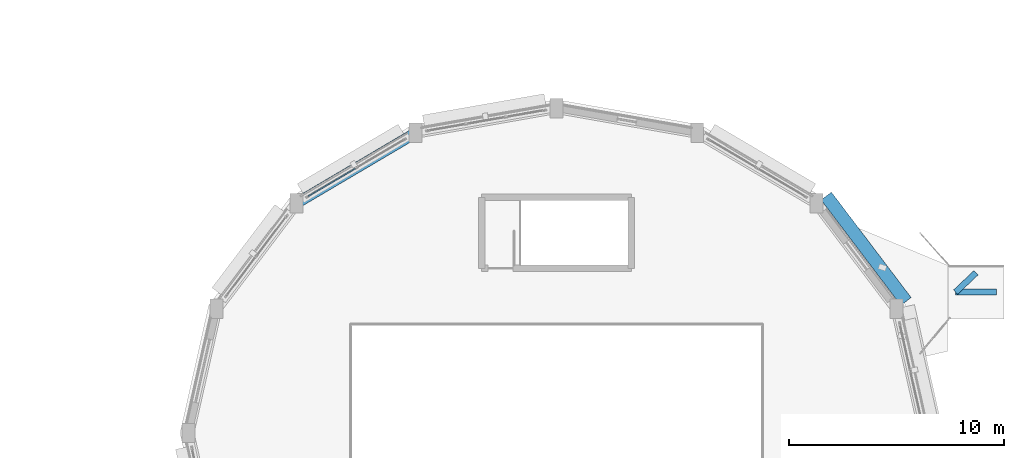
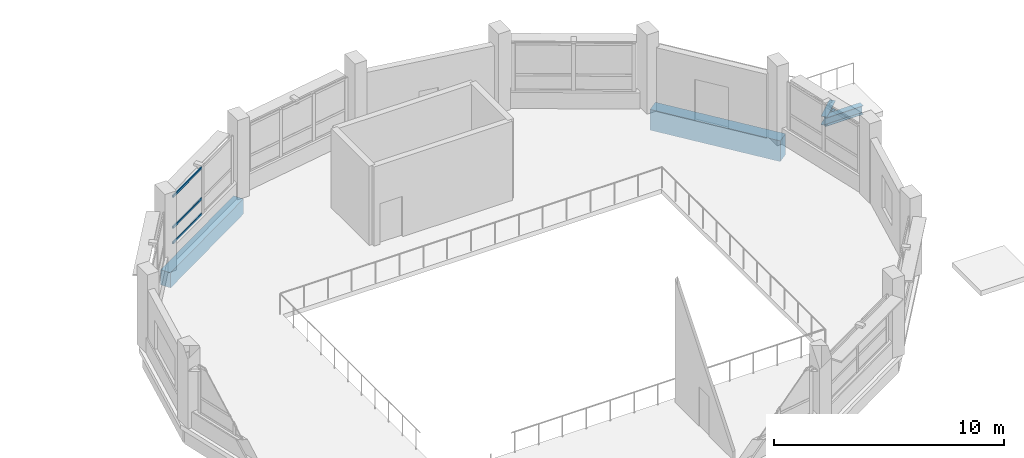
# One storey, part 97 of 128: 4 beams, 3 members, 1 element without a shape of its own.
"""IFC4 building model written with IfcOpenShell, lengths in metres."""

from ifc_helpers import new_model, si_unit, direction, frame, origin, origin_2d, place, context, subcontext, project, spatial, rectangle, hollow_rectangle, i_section, extrude, material, layer, layer_set, material_profile, profile_set, type_object, element, aggregate, save


model = new_model("IFC4")

# Units and contexts
model_context = context("Model", 3, precision=1e-05, world=origin(), true_north=direction((0.0, 1.0)))
body_context = subcontext(model_context, "Body", "Model", "MODEL_VIEW")
ifc_project = project(units=[si_unit("LENGTHUNIT", "METRE"), si_unit("AREAUNIT", "SQUARE_METRE"), si_unit("VOLUMEUNIT", "CUBIC_METRE"), si_unit("PLANEANGLEUNIT", "RADIAN"), si_unit("MASSUNIT", "GRAM", prefix="KILO")], contexts=[model_context])

# Site, building, storey
site_placement = place(None, origin())
site = spatial("IfcSite", under=ifc_project, at=site_placement, CompositionType="ELEMENT")
building_placement = place(site_placement, origin())
building = spatial("IfcBuilding", under=site, at=building_placement, Name="Vespera Passage Community Centre", CompositionType="ELEMENT")
storey_placement = place(building_placement, frame((0.0, 0.0, 4.5)))
storey = spatial("IfcBuildingStorey", under=building, at=storey_placement, Name="L01", CompositionType="ELEMENT", Elevation=4.5)

# Beams
ifc_material_1 = material(Name="Concrete f'c 45 MPa", Category="concrete")
ifc_material_profile_1 = material_profile(ifc_material_1, rectangle(XDim=0.60009765625, YDim=1.10009765625, at=origin_2d()), Name="RC600X1100")
ifc_profile_set_1 = profile_set([ifc_material_profile_1], Name="Concrete f'c 45 MPa")
beam_type_1 = type_object("IfcBeamType", Name="BM-AR-600X1100", PredefinedType="USERDEFINED", material=ifc_profile_set_1)
beam_1_placement = place(storey_placement, frame((159.244873046875, 95.616455078125, -0.840087890625), z_axis=(-0.603409203322, 0.797431710773, 0.0), x_axis=(-0.797431710773, -0.603409203322, 0.0)))
element("IfcBeam", 1, at=beam_1_placement, inside=storey, type_object=beam_type_1, Name="Movement Joint MJ-01 550mm Corbel Bearing Seat North", ObjectType="ARCH RIB", PredefinedType="USERDEFINED", context=body_context, shape_type="SweptSolid", body=[
    extrude(rectangle(XDim=0.60009765625, YDim=1.10009765625, at=origin_2d()), origin(), (0.0, 0.0, 1.0), 6.14306640625),
])
ifc_material_2 = material(Name="Steel ASTM A992 Grade 50", Category="steel")
ifc_material_profile_2 = material_profile(ifc_material_2, i_section(OverallWidth=0.280517578125, OverallDepth=0.46240234375, WebThickness=0.0107421875, FlangeThickness=0.017333984375, FilletRadius=0.01025390625, at=origin_2d()), Name="W18X76")
ifc_profile_set_2 = profile_set([ifc_material_profile_2], Name="Steel ASTM A992 Grade 50")
beam_type_2 = type_object("IfcBeamType", Name="BM-RB-W18X76E", PredefinedType="SPANDREL", material=ifc_profile_set_2)
beam_2_placement = place(storey_placement, frame((161.550048828125, 96.050048828125, -0.4912109375), z_axis=(1.0, 0.0, 0.0), x_axis=(0.0, 1.0, 0.0)))
element("IfcBeam", 2, at=beam_2_placement, inside=storey, type_object=beam_type_2, Name="Bridge Pier Cap 7", PredefinedType="SPANDREL", context=body_context, shape_type="SweptSolid", body=[
    extrude(i_section(OverallWidth=0.280517578125, OverallDepth=0.46240234375, WebThickness=0.0107421875, FlangeThickness=0.017333984375, FilletRadius=0.01025390625, at=origin_2d()), origin(), (0.0, 0.0, 1.0), 1.89990234375),
])
beam_3_placement = place(storey_placement, frame((162.5, 96.949951171875, -0.4912109375), z_axis=(-0.725972294656, -0.687723947083, 0.0), x_axis=(0.687723947083, -0.725972294656, 0.0)))
element("IfcBeam", 3, at=beam_3_placement, inside=storey, type_object=beam_type_2, Name="Bridge Top Landing End Beam", PredefinedType="SPANDREL", context=body_context, shape_type="SweptSolid", body=[
    extrude(i_section(OverallWidth=0.280517578125, OverallDepth=0.46240234375, WebThickness=0.0107421875, FlangeThickness=0.017333984375, FilletRadius=0.01025390625, at=origin_2d()), origin(), (0.0, 0.0, 1.0), 1.30859375),
])
ifc_material_3 = material(Name="Concrete f'c 35 MPa", Category="concrete")
ifc_material_profile_3 = material_profile(ifc_material_3, rectangle(XDim=0.5, YDim=0.800048828125, at=origin_2d()), Name="RC500X800")
ifc_profile_set_3 = profile_set([ifc_material_profile_3], Name="Concrete f'c 35 MPa")
beam_type_3 = type_object("IfcBeamType", Name="BM-SP-500X800E", PredefinedType="SPANDREL", material=ifc_profile_set_3)
beam_4_placement = place(storey_placement, frame((136.4560546875, 103.45068359375, -0.639892578125), z_axis=(-0.861245535965, -0.508189065978, 0.0), x_axis=(0.508189065978, -0.861245535965, 0.0)))
element("IfcBeam", 4, at=beam_4_placement, inside=storey, type_object=beam_type_3, Name="V2 L01 Perimeter Spandrel 6", PredefinedType="SPANDREL", context=body_context, shape_type="SweptSolid", body=[
    extrude(rectangle(XDim=0.5, YDim=0.800048828125, at=origin_2d()), origin(), (0.0, 0.0, 1.0), 6.44140625),
])

# Curtain wall, members
ifc_material_4 = material(Name="Anodized aluminium 6063-T6", Category="aluminium")
ifc_layer = layer(ifc_material_4, 0.159912109375)
ifc_layer_set = layer_set([ifc_layer], Name="Anodized aluminium 6063-T6")
curtain_wall_type = type_object("IfcCurtainWallType", Name="CW-94E", PredefinedType="NOTDEFINED", material=ifc_layer_set)
curtain_wall_placement = place(storey_placement, origin())
curtain_wall = element("IfcCurtainWall", 5, at=curtain_wall_placement, inside=storey, type_object=curtain_wall_type, Name="Sports Drum Ribbon Curtain Wall L01.6", PredefinedType="NOTDEFINED")
ifc_material_5 = material(Name="Anodized aluminium 6063-T6", Category="aluminium")
ifc_material_profile_4 = material_profile(ifc_material_5, hollow_rectangle(XDim=0.06005859375, YDim=0.1201171875, WallThickness=0.00390625, InnerFilletRadius=0.001953125, OuterFilletRadius=0.00390625, at=origin_2d()), Name="ALU120X60X4")
ifc_profile_set_4 = profile_set([ifc_material_profile_4], Name="Anodized aluminium 6063-T6")
member_type = type_object("IfcMemberType", Name="MB-CWT-120E", PredefinedType="USERDEFINED", material=ifc_profile_set_4)
member_1_placement = place(storey_placement, frame((131.458251953125, 100.501708984375, 0.8798828125), z_axis=(0.861245323455, 0.508189426127, 0.0), x_axis=(-0.508189426127, 0.861245323455, 0.0)))
member_1 = element("IfcMember", 6, at=member_1_placement, type_object=member_type, Name="CW-94E transom 1.1", ObjectType="TRANSOM", PredefinedType="USERDEFINED", context=body_context, shape_type="SweptSolid", body=[
    extrude(hollow_rectangle(XDim=0.06005859375, YDim=0.1201171875, WallThickness=0.00390625, InnerFilletRadius=0.001953125, OuterFilletRadius=0.00390625, at=origin_2d()), origin(), (0.0, 0.0, 1.0), 2.544677734375),
])
member_2_placement = place(storey_placement, frame((131.458251953125, 100.501708984375, 1.699951171875), z_axis=(0.861245323455, 0.508189426127, 0.0), x_axis=(-0.508189426127, 0.861245323455, 0.0)))
member_2 = element("IfcMember", 7, at=member_2_placement, type_object=member_type, Name="CW-94E transom 1.2", ObjectType="TRANSOM", PredefinedType="USERDEFINED", context=body_context, shape_type="SweptSolid", body=[
    extrude(hollow_rectangle(XDim=0.06005859375, YDim=0.1201171875, WallThickness=0.00390625, InnerFilletRadius=0.001953125, OuterFilletRadius=0.00390625, at=origin_2d()), origin(), (0.0, 0.0, 1.0), 2.544677734375),
])
member_3_placement = place(storey_placement, frame((131.458251953125, 100.501708984375, 3.3349609375), z_axis=(0.861245323455, 0.508189426127, 0.0), x_axis=(-0.508189426127, 0.861245323455, 0.0)))
member_3 = element("IfcMember", 8, at=member_3_placement, type_object=member_type, Name="CW-94E transom 1.3", ObjectType="TRANSOM", PredefinedType="USERDEFINED", context=body_context, shape_type="SweptSolid", body=[
    extrude(hollow_rectangle(XDim=0.06005859375, YDim=0.1201171875, WallThickness=0.00390625, InnerFilletRadius=0.001953125, OuterFilletRadius=0.00390625, at=origin_2d()), origin(), (0.0, 0.0, 1.0), 2.544677734375),
])
aggregate(curtain_wall, [member_1, member_2, member_3])

save(model, "model.ifc")
